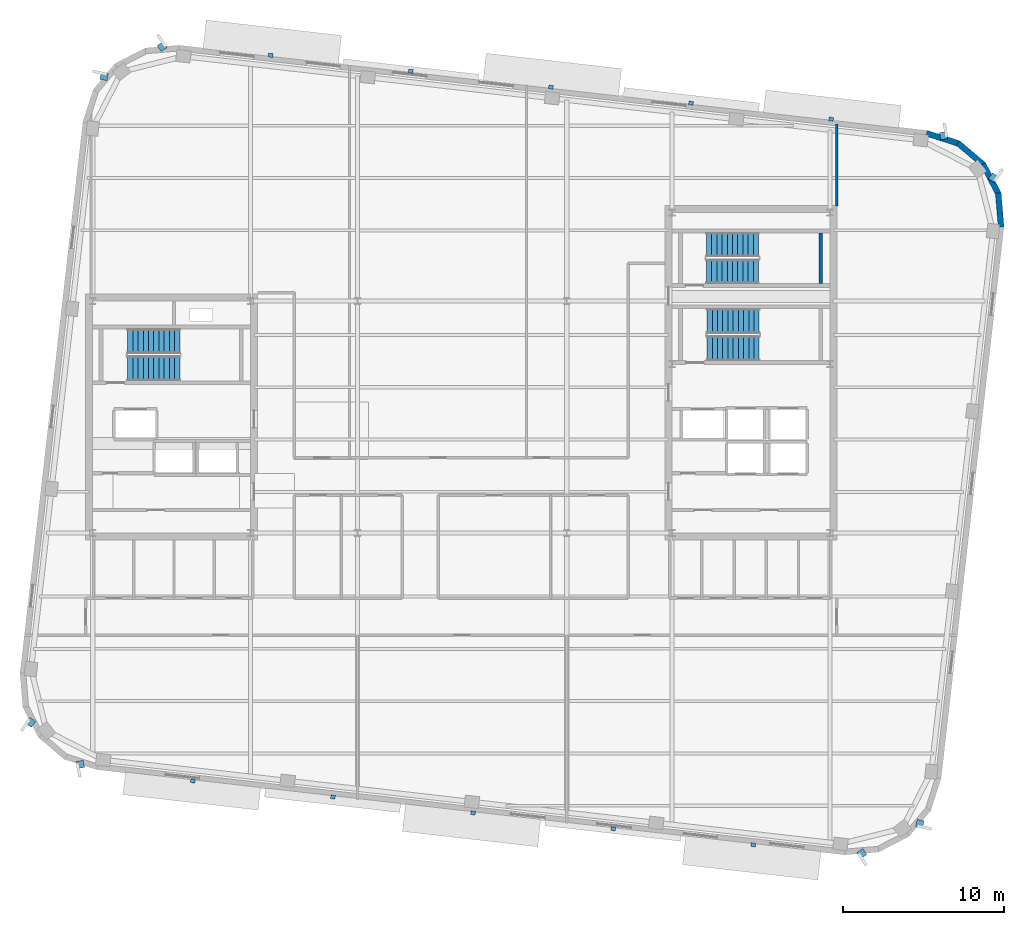
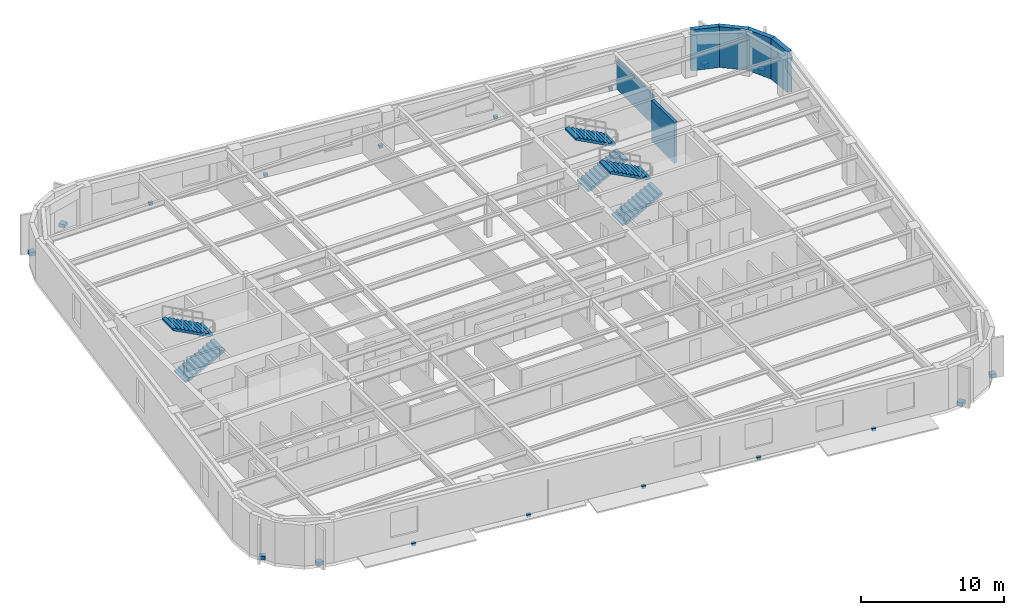
# One storey, part 9 of 14: 18 discrete accessories, 6 stair flights, 6 walls, 3 elements without a shape of their own.
"""IFC4 building model written with IfcOpenShell, lengths in metres."""

from ifc_helpers import new_model, si_unit, direction, frame, frame_2d, origin, origin_2d, place, context, subcontext, project, spatial, polyline, rectangle, outline, extrude, material, layer, layer_set, type_object, element, aggregate, save


model = new_model("IFC4")

# Units and contexts
model_context = context("Model", 3, precision=1e-05, world=origin(), true_north=direction((0.0, 1.0)))
body_context = subcontext(model_context, "Body", "Model", "MODEL_VIEW")
ifc_project = project(units=[si_unit("LENGTHUNIT", "METRE"), si_unit("AREAUNIT", "SQUARE_METRE"), si_unit("VOLUMEUNIT", "CUBIC_METRE"), si_unit("PLANEANGLEUNIT", "RADIAN"), si_unit("MASSUNIT", "GRAM", prefix="KILO")], contexts=[model_context])

# Site, building, storey
site_placement = place(None, origin())
site = spatial("IfcSite", under=ifc_project, at=site_placement, CompositionType="ELEMENT")
building_placement = place(site_placement, origin())
building = spatial("IfcBuilding", under=site, at=building_placement, Name="Kolvaren Arena Tower", CompositionType="ELEMENT")
storey_placement = place(building_placement, frame((0.0, 0.0, 258.449951171875)))
storey = spatial("IfcBuildingStorey", under=building, at=storey_placement, Name="L63", CompositionType="ELEMENT", Elevation=258.449951171875)

# Walls
ifc_material_1 = material(Name="Precast concrete C50/60", Category="concrete")
ifc_layer_1 = layer(ifc_material_1, 0.360107421875)
ifc_layer_set_1 = layer_set([ifc_layer_1], Name="Precast concrete C50/60")
wall_type_1 = type_object("IfcWallType", Name="EXT-PIER2", PredefinedType="SOLIDWALL", material=ifc_layer_set_1)
wall_1_placement = place(storey_placement, frame((70.813720703125, 40.563720703125, 0.0), z_axis=(0.0, 0.0, 1.0), x_axis=(0.082853678144, -0.996561723135, 0.0)))
element("IfcWall", 1, at=wall_1_placement, inside=storey, type_object=wall_type_1, Name="Exterior Precast Masonry-Frame Wall (L63)", PredefinedType="SOLIDWALL", context=body_context, shape_type="SweptSolid", body=[
    extrude(rectangle(XDim=2.10693359375, YDim=0.360107421875, at=frame_2d((1.053466796875, 0.0))), origin(), (0.0, 0.0, 1.0), 3.47998046875),
])
for number, where, z_axis, x_axis, name in (
    (2, (69.868408203125, 42.369384765625, 0.0), (0.0, 0.0, 1.0), (0.457887222333, -0.889010287693, 0.0), "Exterior Precast Masonry-Frame Wall (L63)"),
    (3, (68.303955078125, 43.67578125, 0.0), (0.0, 0.0, 1.0), (0.763192878975, -0.646170743289, 0.0), "Exterior Precast Masonry-Frame Wall (L63)"),
    (4, (66.358642578125, 44.283935546875, 0.0), (0.0, 0.0, 1.0), (0.952403965565, -0.304838787518, 0.0), "Exterior Precast Masonry-Frame Wall (L63)"),
):
    element("IfcWall", number, at=place(storey_placement, frame(where, z_axis=z_axis, x_axis=x_axis)), inside=storey, type_object=wall_type_1, Name=name, PredefinedType="SOLIDWALL", context=body_context, shape_type="SweptSolid", body=[
        extrude(rectangle(XDim=2.107177734375, YDim=0.360107421875, at=frame_2d((1.0537109375, 0.0))), origin(), (0.0, 0.0, 1.0), 3.47998046875),
    ])
ifc_material_2 = material(Name="Gypsum board partition assembly", Category="gypsum")
ifc_layer_2 = layer(ifc_material_2, 0.135009765625)
ifc_layer_set_2 = layer_set([ifc_layer_2], Name="Gypsum board partition assembly")
wall_type_2 = type_object("IfcWallType", Name="PART-135", PredefinedType="PARTITIONING", material=ifc_layer_set_2)
wall_2_placement = place(storey_placement, frame((60.780029296875, 39.75, 0.0), z_axis=(0.0, 0.0, 1.0), x_axis=(0.0, 1.0, 0.0)))
element("IfcWall", 5, at=wall_2_placement, inside=storey, type_object=wall_type_2, Name="Interior Partition Wall (L63)", PredefinedType="PARTITIONING", context=body_context, shape_type="SweptSolid", body=[
    extrude(rectangle(XDim=5.105712890625, YDim=0.135009765625, at=frame_2d((2.552734375, 0.0))), origin(), (0.0, 0.0, 1.0), 2.5400390625),
])
ifc_material_3 = material(Name="Concrete 45 MPa", Category="concrete")
ifc_layer_3 = layer(ifc_material_3, 0.25)
ifc_layer_set_3 = layer_set([ifc_layer_3], Name="Concrete 45 MPa")
wall_type_3 = type_object("IfcWallType", Name="SHAFT-250", PredefinedType="SOLIDWALL", material=ifc_layer_set_3)
wall_3_placement = place(storey_placement, frame((59.780029296875, 34.949951171875, 0.0), z_axis=(0.0, 0.0, 1.0), x_axis=(0.0, 1.0, 0.0)))
element("IfcWall", 6, at=wall_3_placement, inside=storey, type_object=wall_type_3, Name="Core Shaft Wall (L63)", PredefinedType="SOLIDWALL", context=body_context, shape_type="SweptSolid", body=[
    extrude(rectangle(XDim=3.150146484375, YDim=0.239990234375, at=frame_2d((1.5751953125, 0.0))), origin(), (0.0, 0.0, 1.0), 3.47998046875),
])

# Stair, stair flights
stair_type_1 = type_object("IfcStairType", Name="STAIR-CORE-150", PredefinedType="HALF_TURN_STAIR", material=ifc_material_3)
stair_1_placement = place(storey_placement, origin())
stair_1 = element("IfcStair", 7, at=stair_1_placement, inside=storey, type_object=stair_type_1, Name="L63 ST-E2", PredefinedType="HALF_TURN_STAIR")
stair_flight_type_1 = type_object("IfcStairFlightType", Name="FLT-150", PredefinedType="STRAIGHT", material=ifc_material_3)
stair_flight_1_placement = place(storey_placement, frame((52.679931640625, 35.699951171875, 0.0), z_axis=(0.0, 0.0, 1.0), x_axis=(1.0, 0.0, 0.0)))
stair_flight_1 = element("IfcStairFlight", 8, at=stair_flight_1_placement, type_object=stair_flight_type_1, Name="ST-E2 flight 1", NumberOfRisers=11, NumberOfTreads=10, PredefinedType="STRAIGHT", RiserHeight=0.170454545, TreadLength=0.324, context=body_context, shape_type="SweptSolid", body=[
    extrude(outline(polyline([(0.0, 0.0), (0.0, 0.17041015625), (0.323974609375, 0.17041015625), (0.323974609375, 0.3408203125), (0.64794921875, 0.3408203125), (0.64794921875, 0.511474609375), (0.971923828125, 0.511474609375), (0.971923828125, 0.681884765625), (1.2958984375, 0.681884765625), (1.2958984375, 0.852294921875), (1.6201171875, 0.852294921875), (1.6201171875, 1.022705078125), (1.944091796875, 1.022705078125), (1.944091796875, 1.193115234375), (2.26806640625, 1.193115234375), (2.26806640625, 1.363525390625), (2.592041015625, 1.363525390625), (2.592041015625, 1.5341796875), (2.916015625, 1.5341796875), (2.916015625, 1.70458984375), (3.239990234375, 1.70458984375), (3.239990234375, 1.875), (3.239990234375, 1.53515625), (0.322021484375, 0.0), (0.0, 0.0)])), frame((0.0, 0.75, 0.0), z_axis=(0.0, -1.0, 0.0), x_axis=(1.0, 0.0, 0.0)), (0.0, 0.0, 1.0), 1.5),
])
stair_flight_2_placement = place(storey_placement, frame((55.919921875, 37.35009765625, 1.875), z_axis=(0.0, 0.0, 1.0), x_axis=(-1.0, 0.0, 0.0)))
stair_flight_2 = element("IfcStairFlight", 9, at=stair_flight_2_placement, type_object=stair_flight_type_1, Name="ST-E2 flight 2", NumberOfRisers=11, NumberOfTreads=10, PredefinedType="STRAIGHT", RiserHeight=0.170454545, TreadLength=0.324, context=body_context, shape_type="SweptSolid", body=[
    extrude(outline(polyline([(0.0, 0.0), (0.0, 0.17041015625), (0.323974609375, 0.17041015625), (0.323974609375, 0.3408203125), (0.64794921875, 0.3408203125), (0.64794921875, 0.511474609375), (0.971923828125, 0.511474609375), (0.971923828125, 0.681884765625), (1.2958984375, 0.681884765625), (1.2958984375, 0.852294921875), (1.6201171875, 0.852294921875), (1.6201171875, 1.022705078125), (1.944091796875, 1.022705078125), (1.944091796875, 1.193115234375), (2.26806640625, 1.193115234375), (2.26806640625, 1.363525390625), (2.592041015625, 1.363525390625), (2.592041015625, 1.5341796875), (2.916015625, 1.5341796875), (2.916015625, 1.70458984375), (3.239990234375, 1.70458984375), (3.239990234375, 1.875), (3.239990234375, 1.53515625), (0.322021484375, 0.0), (0.0, 0.0)])), frame((0.0, 0.75, 0.0), z_axis=(0.0, -1.0, 0.0), x_axis=(1.0, 0.0, 0.0)), (0.0, 0.0, 1.0), 1.5),
])
aggregate(stair_1, [stair_flight_1, stair_flight_2])

stair_type_2 = type_object("IfcStairType", Name="STAIR-CORE-165", PredefinedType="HALF_TURN_STAIR", material=ifc_material_3)
stair_2_placement = place(storey_placement, origin())
stair_2 = element("IfcStair", 10, at=stair_2_placement, inside=storey, type_object=stair_type_2, Name="L63 ST-W1", PredefinedType="HALF_TURN_STAIR")
stair_flight_type_2 = type_object("IfcStairFlightType", Name="FLT-165", PredefinedType="STRAIGHT", material=ifc_material_3)
stair_flight_3_placement = place(storey_placement, frame((16.719970703125, 29.669921875, 0.0), z_axis=(0.0, 0.0, 1.0), x_axis=(1.0, 0.0, 0.0)))
stair_flight_3 = element("IfcStairFlight", 11, at=stair_flight_3_placement, type_object=stair_flight_type_2, Name="ST-W1 flight 1", NumberOfRisers=11, NumberOfTreads=10, PredefinedType="STRAIGHT", RiserHeight=0.170454545, TreadLength=0.324, context=body_context, shape_type="SweptSolid", body=[
    extrude(outline(polyline([(0.0, 0.0), (0.0, 0.17041015625), (0.323974609375, 0.17041015625), (0.323974609375, 0.3408203125), (0.64794921875, 0.3408203125), (0.64794921875, 0.511474609375), (0.971923828125, 0.511474609375), (0.971923828125, 0.681884765625), (1.2958984375, 0.681884765625), (1.2958984375, 0.852294921875), (1.6201171875, 0.852294921875), (1.6201171875, 1.022705078125), (1.944091796875, 1.022705078125), (1.944091796875, 1.193115234375), (2.26806640625, 1.193115234375), (2.26806640625, 1.363525390625), (2.592041015625, 1.363525390625), (2.592041015625, 1.5341796875), (2.916015625, 1.5341796875), (2.916015625, 1.70458984375), (3.239990234375, 1.70458984375), (3.239990234375, 1.875), (3.239990234375, 1.53515625), (0.322021484375, 0.0), (0.0, 0.0)])), frame((0.0, 0.77001953125, 0.0), z_axis=(0.0, -1.0, 0.0), x_axis=(1.0, 0.0, 0.0)), (0.0, 0.0, 1.0), 1.5400390625),
])
stair_flight_4_placement = place(storey_placement, frame((19.9599609375, 31.360107421875, 1.875), z_axis=(0.0, 0.0, 1.0), x_axis=(-1.0, 0.0, 0.0)))
stair_flight_4 = element("IfcStairFlight", 12, at=stair_flight_4_placement, type_object=stair_flight_type_2, Name="ST-W1 flight 2", NumberOfRisers=11, NumberOfTreads=10, PredefinedType="STRAIGHT", RiserHeight=0.170454545, TreadLength=0.324, context=body_context, shape_type="SweptSolid", body=[
    extrude(outline(polyline([(0.0, 0.0), (0.0, 0.17041015625), (0.323974609375, 0.17041015625), (0.323974609375, 0.3408203125), (0.64794921875, 0.3408203125), (0.64794921875, 0.511474609375), (0.971923828125, 0.511474609375), (0.971923828125, 0.681884765625), (1.2958984375, 0.681884765625), (1.2958984375, 0.852294921875), (1.6201171875, 0.852294921875), (1.6201171875, 1.022705078125), (1.944091796875, 1.022705078125), (1.944091796875, 1.193115234375), (2.26806640625, 1.193115234375), (2.26806640625, 1.363525390625), (2.592041015625, 1.363525390625), (2.592041015625, 1.5341796875), (2.916015625, 1.5341796875), (2.916015625, 1.70458984375), (3.239990234375, 1.70458984375), (3.239990234375, 1.875), (3.239990234375, 1.53515625), (0.322021484375, 0.0), (0.0, 0.0)])), frame((0.0, 0.77001953125, 0.0), z_axis=(0.0, -1.0, 0.0), x_axis=(1.0, 0.0, 0.0)), (0.0, 0.0, 1.0), 1.5400390625),
])
aggregate(stair_2, [stair_flight_3, stair_flight_4])

stair_3_placement = place(storey_placement, origin())
stair_3 = element("IfcStair", 13, at=stair_3_placement, inside=storey, type_object=stair_type_2, Name="L63 ST-E1", PredefinedType="HALF_TURN_STAIR")
stair_flight_5_placement = place(storey_placement, frame((52.719970703125, 30.919921875, 0.0), z_axis=(0.0, 0.0, 1.0), x_axis=(1.0, 0.0, 0.0)))
stair_flight_5 = element("IfcStairFlight", 14, at=stair_flight_5_placement, type_object=stair_flight_type_2, Name="ST-E1 flight 1", NumberOfRisers=11, NumberOfTreads=10, PredefinedType="STRAIGHT", RiserHeight=0.170454545, TreadLength=0.324, context=body_context, shape_type="SweptSolid", body=[
    extrude(outline(polyline([(0.0, 0.0), (0.0, 0.17041015625), (0.323974609375, 0.17041015625), (0.323974609375, 0.3408203125), (0.64794921875, 0.3408203125), (0.64794921875, 0.511474609375), (0.971923828125, 0.511474609375), (0.971923828125, 0.681884765625), (1.2958984375, 0.681884765625), (1.2958984375, 0.852294921875), (1.6201171875, 0.852294921875), (1.6201171875, 1.022705078125), (1.944091796875, 1.022705078125), (1.944091796875, 1.193115234375), (2.26806640625, 1.193115234375), (2.26806640625, 1.363525390625), (2.592041015625, 1.363525390625), (2.592041015625, 1.5341796875), (2.916015625, 1.5341796875), (2.916015625, 1.70458984375), (3.239990234375, 1.70458984375), (3.239990234375, 1.875), (3.239990234375, 1.53515625), (0.322021484375, 0.0), (0.0, 0.0)])), frame((0.0, 0.77001953125, 0.0), z_axis=(0.0, -1.0, 0.0), x_axis=(1.0, 0.0, 0.0)), (0.0, 0.0, 1.0), 1.5400390625),
])
stair_flight_6_placement = place(storey_placement, frame((55.9599609375, 32.610107421875, 1.875), z_axis=(0.0, 0.0, 1.0), x_axis=(-1.0, 0.0, 0.0)))
stair_flight_6 = element("IfcStairFlight", 15, at=stair_flight_6_placement, type_object=stair_flight_type_2, Name="ST-E1 flight 2", NumberOfRisers=11, NumberOfTreads=10, PredefinedType="STRAIGHT", RiserHeight=0.170454545, TreadLength=0.324, context=body_context, shape_type="SweptSolid", body=[
    extrude(outline(polyline([(0.0, 0.0), (0.0, 0.17041015625), (0.323974609375, 0.17041015625), (0.323974609375, 0.3408203125), (0.64794921875, 0.3408203125), (0.64794921875, 0.511474609375), (0.971923828125, 0.511474609375), (0.971923828125, 0.681884765625), (1.2958984375, 0.681884765625), (1.2958984375, 0.852294921875), (1.6201171875, 0.852294921875), (1.6201171875, 1.022705078125), (1.944091796875, 1.022705078125), (1.944091796875, 1.193115234375), (2.26806640625, 1.193115234375), (2.26806640625, 1.363525390625), (2.592041015625, 1.363525390625), (2.592041015625, 1.5341796875), (2.916015625, 1.5341796875), (2.916015625, 1.70458984375), (3.239990234375, 1.70458984375), (3.239990234375, 1.875), (3.239990234375, 1.53515625), (0.322021484375, 0.0), (0.0, 0.0)])), frame((0.0, 0.77001953125, 0.0), z_axis=(0.0, -1.0, 0.0), x_axis=(1.0, 0.0, 0.0)), (0.0, 0.0, 1.0), 1.5400390625),
])
aggregate(stair_3, [stair_flight_5, stair_flight_6])

# Discrete accessories
ifc_material_4 = material(Name="Stainless steel facade support bracket", Category="steel")
discrete_accessory_type = type_object("IfcDiscreteAccessoryType", Name="ACC-BRKT-1", PredefinedType="BRACKET", material=ifc_material_4)
for number, where, z_axis, x_axis, name in (
    (16, (62.33544921875, -0.46630859375, 0.02001953125), (0.0, 0.0, 1.0), (0.540981810797, -0.84103429204, 0.0), "Corner Fin Anchor Bracket (L63)"),
    (17, (65.939208984375, 1.389892578125, 0.02001953125), (0.0, 0.0, 1.0), (0.977234439221, -0.21216232182, 0.0), "Corner Fin Anchor Bracket (L63)"),
    (18, (70.5107421875, 41.51513671875, 0.02001953125), (0.0, 0.0, 1.0), (0.569965213199, 0.821668823641, 0.0), "Corner Fin Anchor Bracket (L63)"),
    (19, (67.4169921875, 44.13427734375, 0.02001953125), (0.0, 0.0, 1.0), (-0.177965872603, 0.984036659982, 0.0), "Corner Fin Anchor Bracket (L63)"),
):
    element("IfcDiscreteAccessory", number, at=place(storey_placement, frame(where, z_axis=z_axis, x_axis=x_axis)), inside=storey, type_object=discrete_accessory_type, Name=name, PredefinedType="BRACKET", context=body_context, shape_type="SweptSolid", body=[
        extrude(rectangle(XDim=0.449951171875, YDim=0.449951171875, at=origin_2d()), origin(), (0.0, 0.0, 1.0), 0.300048828125),
    ])
for number, where, z_axis, x_axis, name in (
    (20, (25.60986328125, 49.12451171875, -0.18017578125), (0.0, 0.0, 1.0), (0.993571658098, -0.113204947878, 0.0), "Sunshade Support Bracket (L63)"),
    (21, (34.313720703125, 48.1328125, -0.18017578125), (0.0, 0.0, 1.0), (0.993571658098, -0.113204947878, 0.0), "Sunshade Support Bracket (L63)"),
    (22, (43.017333984375, 47.141357421875, -0.18017578125), (0.0, 0.0, 1.0), (0.993571658098, -0.113204947878, 0.0), "Sunshade Support Bracket (L63)"),
    (23, (51.720947265625, 46.149658203125, -0.18017578125), (0.0, 0.0, 1.0), (0.993571658098, -0.113204947878, 0.0), "Sunshade Support Bracket (L63)"),
    (24, (60.424560546875, 45.157958984375, -0.18017578125), (0.0, 0.0, 1.0), (0.993571658098, -0.113204947878, 0.0), "Sunshade Support Bracket (L63)"),
):
    element("IfcDiscreteAccessory", number, at=place(storey_placement, frame(where, z_axis=z_axis, x_axis=x_axis)), inside=storey, type_object=discrete_accessory_type, Name=name, PredefinedType="BRACKET", context=body_context, shape_type="SweptSolid", body=[
        extrude(rectangle(XDim=0.280029296875, YDim=0.239990234375, at=origin_2d()), origin(), (0.0, 0.0, 1.0), 0.239990234375),
    ])
for number, where, z_axis, x_axis, name in (
    (25, (18.864501953125, 49.666259765625, 0.02001953125), (0.0, 0.0, 1.0), (-0.540981810797, 0.84103429204, 0.0), "Corner Fin Anchor Bracket (L63)"),
    (26, (15.260986328125, 47.81005859375, 0.02001953125), (0.0, 0.0, 1.0), (-0.977234439221, 0.21216232182, 0.0), "Corner Fin Anchor Bracket (L63)"),
    (27, (10.689208984375, 7.684814453125, 0.02001953125), (0.0, 0.0, 1.0), (-0.569965213199, -0.821668823641, 0.0), "Corner Fin Anchor Bracket (L63)"),
    (28, (13.782958984375, 5.065673828125, 0.02001953125), (0.0, 0.0, 1.0), (0.177965872603, -0.984036659982, 0.0), "Corner Fin Anchor Bracket (L63)"),
):
    element("IfcDiscreteAccessory", number, at=place(storey_placement, frame(where, z_axis=z_axis, x_axis=x_axis)), inside=storey, type_object=discrete_accessory_type, Name=name, PredefinedType="BRACKET", context=body_context, shape_type="SweptSolid", body=[
        extrude(rectangle(XDim=0.449951171875, YDim=0.449951171875, at=origin_2d()), origin(), (0.0, 0.0, 1.0), 0.300048828125),
    ])
for number, where, z_axis, x_axis, name in (
    (29, (55.590087890625, 0.075439453125, -0.18017578125), (0.0, 0.0, 1.0), (-0.993571658098, 0.113204947878, 0.0), "Sunshade Support Bracket (L63)"),
    (30, (46.886474609375, 1.067138671875, -0.18017578125), (0.0, 0.0, 1.0), (-0.993571658098, 0.113204947878, 0.0), "Sunshade Support Bracket (L63)"),
    (31, (38.1826171875, 2.05859375, -0.18017578125), (0.0, 0.0, 1.0), (-0.993571658098, 0.113204947878, 0.0), "Sunshade Support Bracket (L63)"),
    (32, (29.47900390625, 3.05029296875, -0.18017578125), (0.0, 0.0, 1.0), (-0.993571658098, 0.113204947878, 0.0), "Sunshade Support Bracket (L63)"),
    (33, (20.775390625, 4.0419921875, -0.18017578125), (0.0, 0.0, 1.0), (-0.993571658098, 0.113204947878, 0.0), "Sunshade Support Bracket (L63)"),
):
    element("IfcDiscreteAccessory", number, at=place(storey_placement, frame(where, z_axis=z_axis, x_axis=x_axis)), inside=storey, type_object=discrete_accessory_type, Name=name, PredefinedType="BRACKET", context=body_context, shape_type="SweptSolid", body=[
        extrude(rectangle(XDim=0.280029296875, YDim=0.239990234375, at=origin_2d()), origin(), (0.0, 0.0, 1.0), 0.239990234375),
    ])

save(model, "model.ifc")
